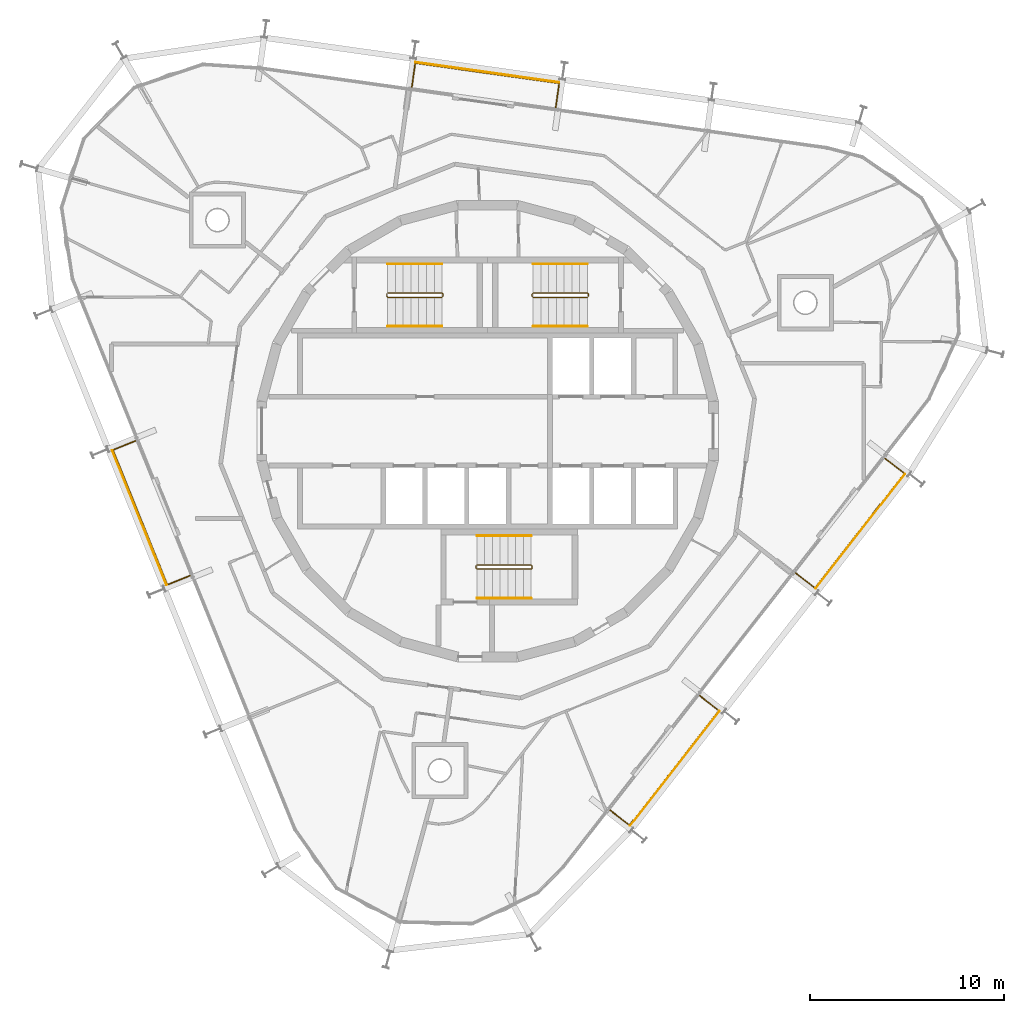
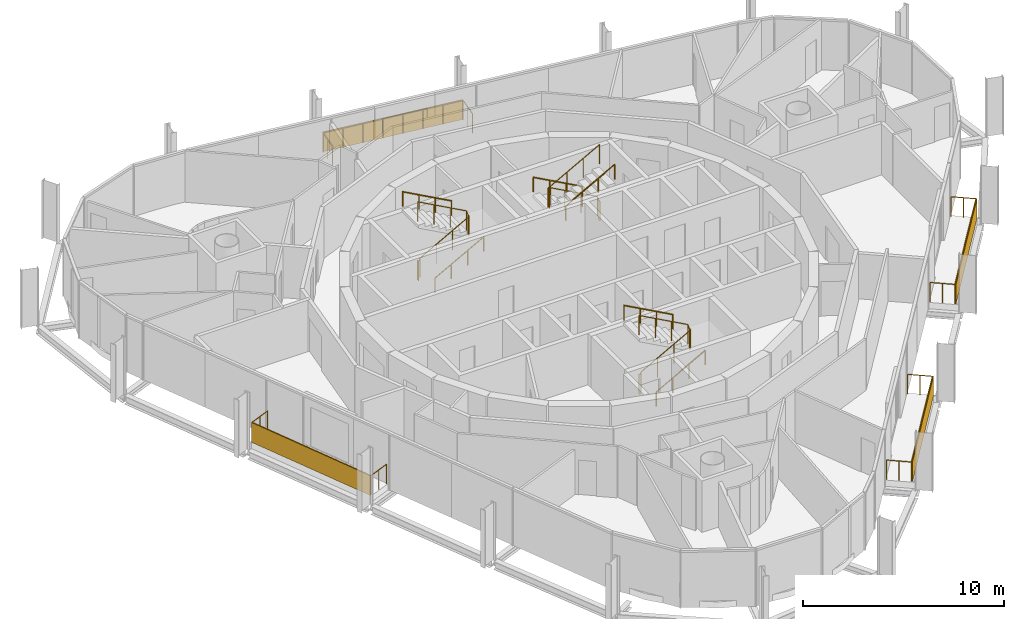
# One storey, part 15 of 15: 13 railings, 4 shading devices.
"""IFC4 building model written with IfcOpenShell, lengths in metres."""

from ifc_helpers import new_model, si_unit, direction, frame, origin, origin_2d, place, context, subcontext, project, spatial, rectangle, circle, extrude, material, layer, layer_set, type_object, element, save


model = new_model("IFC4")

# Units and contexts
model_context = context("Model", 3, precision=1e-05, world=origin(), true_north=direction((0.0, 1.0)))
body_context = subcontext(model_context, "Body", "Model", "MODEL_VIEW")
ifc_project = project(units=[si_unit("LENGTHUNIT", "METRE"), si_unit("AREAUNIT", "SQUARE_METRE"), si_unit("VOLUMEUNIT", "CUBIC_METRE"), si_unit("PLANEANGLEUNIT", "RADIAN"), si_unit("MASSUNIT", "GRAM", prefix="KILO")], contexts=[model_context])

# Site, building, storey
site_placement = place(None, origin())
site = spatial("IfcSite", under=ifc_project, at=site_placement, CompositionType="ELEMENT")
building_placement = place(site_placement, origin())
building = spatial("IfcBuilding", under=site, at=building_placement, Name="Spindle Arch Residences", CompositionType="ELEMENT")
storey_placement = place(building_placement, frame((0.0, 0.0, 354.0)))
storey = spatial("IfcBuildingStorey", under=building, at=storey_placement, Name="L91", CompositionType="ELEMENT", Elevation=354.0)

# Railings
ifc_material_1 = material(Name="Bronze anodised aluminium guard with glass infill", Category="aluminium")
railing_type_1 = type_object("IfcRailingType", Name="Balcony guard 1200", PredefinedType="GUARDRAIL", material=ifc_material_1)
railing_1_placement = place(storey_placement, frame((15.89208984375, -7.317626953125, 0.0)))
element("IfcRailing", 1, at=railing_1_placement, inside=storey, type_object=railing_type_1, Name="Guard L91 bay 1", PredefinedType="GUARDRAIL", context=body_context, shape_type="SweptSolid", body=[
    extrude(circle(Radius=0.02392578125, at=origin_2d()), frame((0.0, 0.0, 1.17578125), z_axis=(0.788056943247, -0.61560235071, 0.0), x_axis=(0.61560235071, 0.788056943247, 0.0)), (0.0, 0.0, 1.0), 1.25),
    extrude(circle(Radius=0.02392578125, at=origin_2d()), frame((0.985107421875, -0.76953125, 1.17578125), z_axis=(0.615668692597, 0.788005114803, 0.0), x_axis=(-0.788005114803, 0.615668692597, 0.0)), (0.0, 0.0, 1.0), 7.49560546875),
    extrude(circle(Radius=0.02392578125, at=origin_2d()), frame((5.599853515625, 5.136962890625, 1.17578125), z_axis=(-0.788056943247, 0.61560235071, 0.0), x_axis=(-0.61560235071, -0.788056943247, 0.0)), (0.0, 0.0, 1.0), 1.25),
    extrude(circle(Radius=0.02099609375, at=origin_2d()), origin(), (0.0, 0.0, 1.0), 1.15185546875),
    extrude(circle(Radius=0.02099609375, at=origin_2d()), frame((0.49267578125, -0.384765625, 0.0)), (0.0, 0.0, 1.0), 1.15185546875),
    extrude(circle(Radius=0.02099609375, at=origin_2d()), frame((0.985107421875, -0.76953125, 0.0)), (0.0, 0.0, 1.0), 1.15185546875),
    extrude(circle(Radius=0.02099609375, at=origin_2d()), frame((1.644287109375, 0.07421875, 0.0)), (0.0, 0.0, 1.0), 1.15185546875),
    extrude(circle(Radius=0.02099609375, at=origin_2d()), frame((2.3037109375, 0.91796875, 0.0)), (0.0, 0.0, 1.0), 1.15185546875),
    extrude(circle(Radius=0.02099609375, at=origin_2d()), frame((2.962890625, 1.76171875, 0.0)), (0.0, 0.0, 1.0), 1.15185546875),
    extrude(circle(Radius=0.02099609375, at=origin_2d()), frame((3.6220703125, 2.605712890625, 0.0)), (0.0, 0.0, 1.0), 1.15185546875),
    extrude(circle(Radius=0.02099609375, at=origin_2d()), frame((4.28125, 3.449462890625, 0.0)), (0.0, 0.0, 1.0), 1.15185546875),
    extrude(circle(Radius=0.02099609375, at=origin_2d()), frame((4.940673828125, 4.293212890625, 0.0)), (0.0, 0.0, 1.0), 1.15185546875),
    extrude(circle(Radius=0.02099609375, at=origin_2d()), frame((5.599853515625, 5.136962890625, 0.0)), (0.0, 0.0, 1.0), 1.15185546875),
    extrude(circle(Radius=0.02099609375, at=origin_2d()), frame((5.107421875, 5.521728515625, 0.0)), (0.0, 0.0, 1.0), 1.15185546875),
    extrude(circle(Radius=0.02099609375, at=origin_2d()), frame((4.61474609375, 5.906494140625, 0.0)), (0.0, 0.0, 1.0), 1.15185546875),
])
railing_2_placement = place(storey_placement, frame((3.517822265625, 16.701416015625, 0.0)))
element("IfcRailing", 2, at=railing_2_placement, inside=storey, type_object=railing_type_1, Name="Guard L91 bay 7", PredefinedType="GUARDRAIL", context=body_context, shape_type="SweptSolid", body=[
    extrude(circle(Radius=0.02392578125, at=origin_2d()), frame((0.0, 0.0, 1.17578125), z_axis=(0.139260816682, 0.990255737139, 0.0), x_axis=(-0.990255737139, 0.139260816682, 0.0)), (0.0, 0.0, 1.0), 1.25),
    extrude(circle(Radius=0.02392578125, at=origin_2d()), frame((0.174072265625, 1.23779296875, 1.17578125), z_axis=(-0.990267453735, 0.139177476887, 0.0), x_axis=(-0.139177476887, -0.990267453735, 0.0)), (0.0, 0.0, 1.0), 7.49560546875),
    extrude(circle(Radius=0.02392578125, at=origin_2d()), frame((-7.24853515625, 2.281005859375, 1.17578125), z_axis=(-0.139260816682, -0.990255737139, 0.0), x_axis=(0.990255737139, -0.139260816682, 0.0)), (0.0, 0.0, 1.0), 1.25),
    extrude(circle(Radius=0.02099609375, at=origin_2d()), origin(), (0.0, 0.0, 1.0), 1.15185546875),
    extrude(circle(Radius=0.02099609375, at=origin_2d()), frame((0.0869140625, 0.618896484375, 0.0)), (0.0, 0.0, 1.0), 1.15185546875),
    extrude(circle(Radius=0.02099609375, at=origin_2d()), frame((0.174072265625, 1.23779296875, 0.0)), (0.0, 0.0, 1.0), 1.15185546875),
    extrude(circle(Radius=0.02099609375, at=origin_2d()), frame((-0.88623046875, 1.38671875, 0.0)), (0.0, 0.0, 1.0), 1.15185546875),
    extrude(circle(Radius=0.02099609375, at=origin_2d()), frame((-1.94677734375, 1.535888671875, 0.0)), (0.0, 0.0, 1.0), 1.15185546875),
    extrude(circle(Radius=0.02099609375, at=origin_2d()), frame((-3.007080078125, 1.684814453125, 0.0)), (0.0, 0.0, 1.0), 1.15185546875),
    extrude(circle(Radius=0.02099609375, at=origin_2d()), frame((-4.0673828125, 1.833984375, 0.0)), (0.0, 0.0, 1.0), 1.15185546875),
    extrude(circle(Radius=0.02099609375, at=origin_2d()), frame((-5.127685546875, 1.98291015625, 0.0)), (0.0, 0.0, 1.0), 1.15185546875),
    extrude(circle(Radius=0.02099609375, at=origin_2d()), frame((-6.188232421875, 2.132080078125, 0.0)), (0.0, 0.0, 1.0), 1.15185546875),
    extrude(circle(Radius=0.02099609375, at=origin_2d()), frame((-7.24853515625, 2.281005859375, 0.0)), (0.0, 0.0, 1.0), 1.15185546875),
    extrude(circle(Radius=0.02099609375, at=origin_2d()), frame((-7.33544921875, 1.662109375, 0.0)), (0.0, 0.0, 1.0), 1.15185546875),
    extrude(circle(Radius=0.02099609375, at=origin_2d()), frame((-7.422607421875, 1.043212890625, 0.0)), (0.0, 0.0, 1.0), 1.15185546875),
])
railing_3_placement = place(storey_placement, frame((-18.162109375, -0.50390625, 0.0)))
element("IfcRailing", 3, at=railing_3_placement, inside=storey, type_object=railing_type_1, Name="Guard L91 bay 13", PredefinedType="GUARDRAIL", context=body_context, shape_type="SweptSolid", body=[
    extrude(circle(Radius=0.02392578125, at=origin_2d()), frame((0.0, 0.0, 1.17578125), z_axis=(-0.927177918056, -0.374621286461, 0.0), x_axis=(0.374621286461, -0.927177918056, 0.0)), (0.0, 0.0, 1.0), 1.25),
    extrude(circle(Radius=0.02392578125, at=origin_2d()), frame((-1.158935546875, -0.46826171875, 1.17578125), z_axis=(0.374594985402, -0.927188544424, 0.0), x_axis=(0.927188544424, 0.374594985402, 0.0)), (0.0, 0.0, 1.0), 7.49560546875),
    extrude(circle(Radius=0.02392578125, at=origin_2d()), frame((1.64892578125, -7.418212890625, 1.17578125), z_axis=(0.927177918056, 0.374621286461, 0.0), x_axis=(-0.374621286461, 0.927177918056, 0.0)), (0.0, 0.0, 1.0), 1.25),
    extrude(circle(Radius=0.02099609375, at=origin_2d()), origin(), (0.0, 0.0, 1.0), 1.15185546875),
    extrude(circle(Radius=0.02099609375, at=origin_2d()), frame((-0.57958984375, -0.234130859375, 0.0)), (0.0, 0.0, 1.0), 1.15185546875),
    extrude(circle(Radius=0.02099609375, at=origin_2d()), frame((-1.158935546875, -0.46826171875, 0.0)), (0.0, 0.0, 1.0), 1.15185546875),
    extrude(circle(Radius=0.02099609375, at=origin_2d()), frame((-0.7578125, -1.461181640625, 0.0)), (0.0, 0.0, 1.0), 1.15185546875),
    extrude(circle(Radius=0.02099609375, at=origin_2d()), frame((-0.356689453125, -2.453857421875, 0.0)), (0.0, 0.0, 1.0), 1.15185546875),
    extrude(circle(Radius=0.02099609375, at=origin_2d()), frame((0.04443359375, -3.44677734375, 0.0)), (0.0, 0.0, 1.0), 1.15185546875),
    extrude(circle(Radius=0.02099609375, at=origin_2d()), frame((0.445556640625, -4.439697265625, 0.0)), (0.0, 0.0, 1.0), 1.15185546875),
    extrude(circle(Radius=0.02099609375, at=origin_2d()), frame((0.8466796875, -5.4326171875, 0.0)), (0.0, 0.0, 1.0), 1.15185546875),
    extrude(circle(Radius=0.02099609375, at=origin_2d()), frame((1.247802734375, -6.42529296875, 0.0)), (0.0, 0.0, 1.0), 1.15185546875),
    extrude(circle(Radius=0.02099609375, at=origin_2d()), frame((1.64892578125, -7.418212890625, 0.0)), (0.0, 0.0, 1.0), 1.15185546875),
    extrude(circle(Radius=0.02099609375, at=origin_2d()), frame((2.228515625, -7.18408203125, 0.0)), (0.0, 0.0, 1.0), 1.15185546875),
    extrude(circle(Radius=0.02099609375, at=origin_2d()), frame((2.807861328125, -6.949951171875, 0.0)), (0.0, 0.0, 1.0), 1.15185546875),
])
railing_4_placement = place(storey_placement, frame((6.330322265625, -19.556396484375, 0.0)))
element("IfcRailing", 4, at=railing_4_placement, inside=storey, type_object=railing_type_1, Name="Guard L91 bay 19", PredefinedType="GUARDRAIL", context=body_context, shape_type="SweptSolid", body=[
    extrude(circle(Radius=0.02392578125, at=origin_2d()), frame((0.0, 0.0, 1.17578125), z_axis=(0.787982912033, -0.615697109254, 0.0), x_axis=(0.615697109254, 0.787982912033, 0.0)), (0.0, 0.0, 1.0), 1.249755859375),
    extrude(circle(Radius=0.02392578125, at=origin_2d()), frame((0.98486328125, -0.76953125, 1.17578125), z_axis=(0.615668692597, 0.788005114803, 0.0), x_axis=(-0.788005114803, 0.615668692597, 0.0)), (0.0, 0.0, 1.0), 7.49560546875),
    extrude(circle(Radius=0.02392578125, at=origin_2d()), frame((5.599609375, 5.136962890625, 1.17578125), z_axis=(-0.787982912033, 0.615697109254, 0.0), x_axis=(-0.615697109254, -0.787982912033, 0.0)), (0.0, 0.0, 1.0), 1.249755859375),
    extrude(circle(Radius=0.02099609375, at=origin_2d()), origin(), (0.0, 0.0, 1.0), 1.15185546875),
    extrude(circle(Radius=0.02099609375, at=origin_2d()), frame((0.492431640625, -0.384765625, 0.0)), (0.0, 0.0, 1.0), 1.15185546875),
    extrude(circle(Radius=0.02099609375, at=origin_2d()), frame((0.98486328125, -0.76953125, 0.0)), (0.0, 0.0, 1.0), 1.15185546875),
    extrude(circle(Radius=0.02099609375, at=origin_2d()), frame((1.64404296875, 0.07421875, 0.0)), (0.0, 0.0, 1.0), 1.15185546875),
    extrude(circle(Radius=0.02099609375, at=origin_2d()), frame((2.303466796875, 0.91796875, 0.0)), (0.0, 0.0, 1.0), 1.15185546875),
    extrude(circle(Radius=0.02099609375, at=origin_2d()), frame((2.962646484375, 1.76171875, 0.0)), (0.0, 0.0, 1.0), 1.15185546875),
    extrude(circle(Radius=0.02099609375, at=origin_2d()), frame((3.621826171875, 2.605712890625, 0.0)), (0.0, 0.0, 1.0), 1.15185546875),
    extrude(circle(Radius=0.02099609375, at=origin_2d()), frame((4.281005859375, 3.449462890625, 0.0)), (0.0, 0.0, 1.0), 1.15185546875),
    extrude(circle(Radius=0.02099609375, at=origin_2d()), frame((4.9404296875, 4.293212890625, 0.0)), (0.0, 0.0, 1.0), 1.15185546875),
    extrude(circle(Radius=0.02099609375, at=origin_2d()), frame((5.599609375, 5.136962890625, 0.0)), (0.0, 0.0, 1.0), 1.15185546875),
    extrude(circle(Radius=0.02099609375, at=origin_2d()), frame((5.107177734375, 5.521728515625, 0.0)), (0.0, 0.0, 1.0), 1.15185546875),
    extrude(circle(Radius=0.02099609375, at=origin_2d()), frame((4.61474609375, 5.906494140625, 0.0)), (0.0, 0.0, 1.0), 1.15185546875),
])

# Shading devices
ifc_material_2 = material(Name="Bronze perforated cobogo screen")
ifc_layer = layer(ifc_material_2, 0.0390625)
ifc_layer_set = layer_set([ifc_layer], Name="Cobogo screen 1200")
shading_device_type = type_object("IfcShadingDeviceType", Name="Cobogo screen 1200", PredefinedType="USERDEFINED", material=ifc_layer_set)
for number, where, z_axis, x_axis, name in (
    (5, (19.216552734375, -5.158935546875, 0.0), (0.0, 0.0, 1.0), (0.615661475326, 0.788010753607, 0.0), "Cobogo screen L91 bay 1"),
    (6, (-0.013916015625, 18.5009765625, 0.0), (0.0, 0.0, 1.0), (-0.990268068742, 0.13917310096, 0.0), "Cobogo screen L91 bay 7"),
    (7, (-17.95458984375, -4.46240234375, 0.0), (0.0, 0.0, 1.0), (0.374606593416, -0.927183854567, 0.0), "Cobogo screen L91 bay 13"),
    (8, (9.654541015625, -17.397705078125, 0.0), (0.0, 0.0, 1.0), (0.615661475326, 0.788010753607, 0.0), "Cobogo screen L91 bay 19"),
):
    element("IfcShadingDevice", number, at=place(storey_placement, frame(where, z_axis=z_axis, x_axis=x_axis)), inside=storey, type_object=shading_device_type, Name=name, ObjectType="SCREEN", PredefinedType="USERDEFINED", context=body_context, shape_type="SweptSolid", body=[
        extrude(rectangle(XDim=7.49560546875, YDim=0.0390625, at=origin_2d()), origin(), (0.0, 0.0, 1.0), 1.199951171875),
    ])

# Railings
ifc_material_3 = material(Name="Steel, painted", Category="steel")
railing_type_2 = type_object("IfcRailingType", Name="Stair guard 1100", PredefinedType="GUARDRAIL", material=ifc_material_3)
railing_5_placement = place(storey_placement, frame((5.14990234375, 6.89990234375, 3.5)))
element("IfcRailing", 9, at=railing_5_placement, inside=storey, type_object=railing_type_2, Name="L91 ST1 stair guard 1", PredefinedType="GUARDRAIL", context=body_context, shape_type="SweptSolid", body=[
    extrude(circle(Radius=0.02392578125, at=origin_2d()), frame((0.0, 0.0, 1.17578125), z_axis=(-0.877357048833, 0.0, -0.479838106931), x_axis=(0.0, -1.0, 0.0)), (0.0, 0.0, 1.0), 3.191162109375),
    extrude(circle(Radius=0.02392578125, at=origin_2d()), frame((-2.7998046875, 0.0, -0.35546875), z_axis=(-0.217683172539, 0.217683172539, -0.951434744366), x_axis=(-0.707106781187, -0.707106781187, 0.0)), (0.0, 0.0, 1.0), 0.22998046875),
    extrude(circle(Radius=0.02392578125, at=origin_2d()), frame((-2.849853515625, 0.050048828125, -0.57421875), z_axis=(0.0, 1.0, 0.0), x_axis=(-1.0, 0.0, 0.0)), (0.0, 0.0, 1.0), 0.1201171875),
    extrude(circle(Radius=0.02392578125, at=origin_2d()), frame((-2.849853515625, 0.170166015625, -0.57421875), z_axis=(0.707106781187, 0.707106781187, 0.0), x_axis=(-0.707106781187, 0.707106781187, 0.0)), (0.0, 0.0, 1.0), 0.07080078125),
    extrude(circle(Radius=0.02392578125, at=origin_2d()), frame((-2.7998046875, 0.22021484375, -0.57421875), z_axis=(0.877357048833, 0.0, -0.479838106931), x_axis=(0.0, 1.0, 0.0)), (0.0, 0.0, 1.0), 3.191162109375),
    extrude(circle(Radius=0.02392578125, at=origin_2d()), frame((0.0, 0.22021484375, -2.10546875), z_axis=(0.217683172539, -0.217683172539, -0.951434744366), x_axis=(0.707106781187, 0.707106781187, 0.0)), (0.0, 0.0, 1.0), 0.22998046875),
    extrude(circle(Radius=0.02392578125, at=origin_2d()), frame((0.050048828125, 0.170166015625, -2.32421875), z_axis=(0.0, -1.0, 0.0), x_axis=(1.0, 0.0, 0.0)), (0.0, 0.0, 1.0), 0.1201171875),
    extrude(circle(Radius=0.02099609375, at=origin_2d()), origin(), (0.0, 0.0, 1.0), 1.15185546875),
    extrude(circle(Radius=0.02099609375, at=origin_2d()), frame((-0.933349609375, 0.0, -0.510498046875)), (0.0, 0.0, 1.0), 1.15185546875),
    extrude(circle(Radius=0.02099609375, at=origin_2d()), frame((-1.866455078125, 0.0, -1.020751953125)), (0.0, 0.0, 1.0), 1.15185546875),
    extrude(circle(Radius=0.02099609375, at=origin_2d()), frame((-2.7998046875, 0.0, -1.53125)), (0.0, 0.0, 1.0), 1.15185546875),
    extrude(circle(Radius=0.02099609375, at=origin_2d()), frame((-2.849853515625, 0.050048828125, -1.75)), (0.0, 0.0, 1.0), 1.15185546875),
    extrude(circle(Radius=0.02099609375, at=origin_2d()), frame((-2.849853515625, 0.170166015625, -1.75)), (0.0, 0.0, 1.0), 1.15185546875),
    extrude(circle(Radius=0.02099609375, at=origin_2d()), frame((-2.7998046875, 0.22021484375, -1.75)), (0.0, 0.0, 1.0), 1.15185546875),
    extrude(circle(Radius=0.02099609375, at=origin_2d()), frame((-1.866455078125, 0.22021484375, -2.260498046875)), (0.0, 0.0, 1.0), 1.15185546875),
    extrude(circle(Radius=0.02099609375, at=origin_2d()), frame((-0.933349609375, 0.22021484375, -2.770751953125)), (0.0, 0.0, 1.0), 1.15185546875),
    extrude(circle(Radius=0.02099609375, at=origin_2d()), frame((0.0, 0.22021484375, -3.28125)), (0.0, 0.0, 1.0), 1.15185546875),
    extrude(circle(Radius=0.02099609375, at=origin_2d()), frame((0.050048828125, 0.170166015625, -3.5)), (0.0, 0.0, 1.0), 1.15185546875),
    extrude(circle(Radius=0.02099609375, at=origin_2d()), frame((0.050048828125, 0.050048828125, -3.5)), (0.0, 0.0, 1.0), 1.15185546875),
])
railing_6_placement = place(storey_placement, frame((-5.14990234375, 7.1201171875, 3.5)))
element("IfcRailing", 10, at=railing_6_placement, inside=storey, type_object=railing_type_2, Name="L91 ST2 stair guard 1", PredefinedType="GUARDRAIL", context=body_context, shape_type="SweptSolid", body=[
    extrude(circle(Radius=0.02392578125, at=origin_2d()), frame((0.0, 0.0, 1.17578125), z_axis=(0.877357048833, 0.0, -0.479838106931), x_axis=(0.0, 1.0, 0.0)), (0.0, 0.0, 1.0), 3.191162109375),
    extrude(circle(Radius=0.02392578125, at=origin_2d()), frame((2.7998046875, 0.0, -0.35546875), z_axis=(0.217683172539, -0.217683172539, -0.951434744366), x_axis=(0.707106781187, 0.707106781187, 0.0)), (0.0, 0.0, 1.0), 0.22998046875),
    extrude(circle(Radius=0.02392578125, at=origin_2d()), frame((2.849853515625, -0.050048828125, -0.57421875), z_axis=(0.0, -1.0, 0.0), x_axis=(1.0, 0.0, 0.0)), (0.0, 0.0, 1.0), 0.1201171875),
    extrude(circle(Radius=0.02392578125, at=origin_2d()), frame((2.849853515625, -0.170166015625, -0.57421875), z_axis=(-0.707106781187, -0.707106781187, 0.0), x_axis=(0.707106781187, -0.707106781187, 0.0)), (0.0, 0.0, 1.0), 0.07080078125),
    extrude(circle(Radius=0.02392578125, at=origin_2d()), frame((2.7998046875, -0.22021484375, -0.57421875), z_axis=(-0.877357048833, 0.0, -0.479838106931), x_axis=(0.0, -1.0, 0.0)), (0.0, 0.0, 1.0), 3.191162109375),
    extrude(circle(Radius=0.02392578125, at=origin_2d()), frame((0.0, -0.22021484375, -2.10546875), z_axis=(-0.217683172539, 0.217683172539, -0.951434744366), x_axis=(-0.707106781187, -0.707106781187, 0.0)), (0.0, 0.0, 1.0), 0.22998046875),
    extrude(circle(Radius=0.02392578125, at=origin_2d()), frame((-0.050048828125, -0.170166015625, -2.32421875), z_axis=(0.0, 1.0, 0.0), x_axis=(-1.0, 0.0, 0.0)), (0.0, 0.0, 1.0), 0.1201171875),
    extrude(circle(Radius=0.02099609375, at=origin_2d()), origin(), (0.0, 0.0, 1.0), 1.15185546875),
    extrude(circle(Radius=0.02099609375, at=origin_2d()), frame((0.933349609375, 0.0, -0.510498046875)), (0.0, 0.0, 1.0), 1.15185546875),
    extrude(circle(Radius=0.02099609375, at=origin_2d()), frame((1.866455078125, 0.0, -1.020751953125)), (0.0, 0.0, 1.0), 1.15185546875),
    extrude(circle(Radius=0.02099609375, at=origin_2d()), frame((2.7998046875, 0.0, -1.53125)), (0.0, 0.0, 1.0), 1.15185546875),
    extrude(circle(Radius=0.02099609375, at=origin_2d()), frame((2.849853515625, -0.050048828125, -1.75)), (0.0, 0.0, 1.0), 1.15185546875),
    extrude(circle(Radius=0.02099609375, at=origin_2d()), frame((2.849853515625, -0.170166015625, -1.75)), (0.0, 0.0, 1.0), 1.15185546875),
    extrude(circle(Radius=0.02099609375, at=origin_2d()), frame((2.7998046875, -0.22021484375, -1.75)), (0.0, 0.0, 1.0), 1.15185546875),
    extrude(circle(Radius=0.02099609375, at=origin_2d()), frame((1.866455078125, -0.22021484375, -2.260498046875)), (0.0, 0.0, 1.0), 1.15185546875),
    extrude(circle(Radius=0.02099609375, at=origin_2d()), frame((0.933349609375, -0.22021484375, -2.770751953125)), (0.0, 0.0, 1.0), 1.15185546875),
    extrude(circle(Radius=0.02099609375, at=origin_2d()), frame((0.0, -0.22021484375, -3.28125)), (0.0, 0.0, 1.0), 1.15185546875),
    extrude(circle(Radius=0.02099609375, at=origin_2d()), frame((-0.050048828125, -0.170166015625, -3.5)), (0.0, 0.0, 1.0), 1.15185546875),
    extrude(circle(Radius=0.02099609375, at=origin_2d()), frame((-0.050048828125, -0.050048828125, -3.5)), (0.0, 0.0, 1.0), 1.15185546875),
])
railing_7_placement = place(storey_placement, frame((-0.550048828125, -6.89990234375, 3.5)))
element("IfcRailing", 11, at=railing_7_placement, inside=storey, type_object=railing_type_2, Name="L91 ST3 stair guard 1", PredefinedType="GUARDRAIL", context=body_context, shape_type="SweptSolid", body=[
    extrude(circle(Radius=0.02392578125, at=origin_2d()), frame((0.0, 0.0, 1.17578125), z_axis=(0.877374661878, 0.0, -0.479805901063), x_axis=(0.0, 1.0, 0.0)), (0.0, 0.0, 1.0), 3.19140625),
    extrude(circle(Radius=0.02392578125, at=origin_2d()), frame((2.800048828125, 0.0, -0.35546875), z_axis=(0.217683172539, -0.217683172539, -0.951434744366), x_axis=(0.707106781187, 0.707106781187, 0.0)), (0.0, 0.0, 1.0), 0.22998046875),
    extrude(circle(Radius=0.02392578125, at=origin_2d()), frame((2.85009765625, -0.050048828125, -0.57421875), z_axis=(0.0, -1.0, 0.0), x_axis=(1.0, 0.0, 0.0)), (0.0, 0.0, 1.0), 0.1201171875),
    extrude(circle(Radius=0.02392578125, at=origin_2d()), frame((2.85009765625, -0.170166015625, -0.57421875), z_axis=(-0.707106781187, -0.707106781187, 0.0), x_axis=(0.707106781187, -0.707106781187, 0.0)), (0.0, 0.0, 1.0), 0.07080078125),
    extrude(circle(Radius=0.02392578125, at=origin_2d()), frame((2.800048828125, -0.22021484375, -0.57421875), z_axis=(-0.877374661878, 0.0, -0.479805901063), x_axis=(0.0, -1.0, 0.0)), (0.0, 0.0, 1.0), 3.19140625),
    extrude(circle(Radius=0.02392578125, at=origin_2d()), frame((0.0, -0.22021484375, -2.10546875), z_axis=(-0.217683172539, 0.217683172539, -0.951434744366), x_axis=(-0.707106781187, -0.707106781187, 0.0)), (0.0, 0.0, 1.0), 0.22998046875),
    extrude(circle(Radius=0.02392578125, at=origin_2d()), frame((-0.050048828125, -0.170166015625, -2.32421875), z_axis=(0.0, 1.0, 0.0), x_axis=(-1.0, 0.0, 0.0)), (0.0, 0.0, 1.0), 0.1201171875),
    extrude(circle(Radius=0.02099609375, at=origin_2d()), origin(), (0.0, 0.0, 1.0), 1.15185546875),
    extrude(circle(Radius=0.02099609375, at=origin_2d()), frame((0.933349609375, 0.0, -0.510498046875)), (0.0, 0.0, 1.0), 1.15185546875),
    extrude(circle(Radius=0.02099609375, at=origin_2d()), frame((1.86669921875, 0.0, -1.020751953125)), (0.0, 0.0, 1.0), 1.15185546875),
    extrude(circle(Radius=0.02099609375, at=origin_2d()), frame((2.800048828125, 0.0, -1.53125)), (0.0, 0.0, 1.0), 1.15185546875),
    extrude(circle(Radius=0.02099609375, at=origin_2d()), frame((2.85009765625, -0.050048828125, -1.75)), (0.0, 0.0, 1.0), 1.15185546875),
    extrude(circle(Radius=0.02099609375, at=origin_2d()), frame((2.85009765625, -0.170166015625, -1.75)), (0.0, 0.0, 1.0), 1.15185546875),
    extrude(circle(Radius=0.02099609375, at=origin_2d()), frame((2.800048828125, -0.22021484375, -1.75)), (0.0, 0.0, 1.0), 1.15185546875),
    extrude(circle(Radius=0.02099609375, at=origin_2d()), frame((1.86669921875, -0.22021484375, -2.260498046875)), (0.0, 0.0, 1.0), 1.15185546875),
    extrude(circle(Radius=0.02099609375, at=origin_2d()), frame((0.933349609375, -0.22021484375, -2.770751953125)), (0.0, 0.0, 1.0), 1.15185546875),
    extrude(circle(Radius=0.02099609375, at=origin_2d()), frame((0.0, -0.22021484375, -3.28125)), (0.0, 0.0, 1.0), 1.15185546875),
    extrude(circle(Radius=0.02099609375, at=origin_2d()), frame((-0.050048828125, -0.170166015625, -3.5)), (0.0, 0.0, 1.0), 1.15185546875),
    extrude(circle(Radius=0.02099609375, at=origin_2d()), frame((-0.050048828125, -0.050048828125, -3.5)), (0.0, 0.0, 1.0), 1.15185546875),
])
ifc_material_4 = material(Name="Steel, painted", Category="steel")
railing_type_3 = type_object("IfcRailingType", Name="Stair handrail 900", PredefinedType="HANDRAIL", material=ifc_material_4)
railing_8_placement = place(storey_placement, frame((5.14990234375, 8.6201171875, 0.21875)))
element("IfcRailing", 12, at=railing_8_placement, inside=storey, type_object=railing_type_3, Name="L91 ST1 stair handrail 1", PredefinedType="HANDRAIL", context=body_context, shape_type="SweptSolid", body=[
    extrude(circle(Radius=0.02392578125, at=origin_2d()), frame((0.0, 0.0, 0.8759765625), z_axis=(-0.877357048833, 0.0, 0.479838106931), x_axis=(0.0, -1.0, 0.0)), (0.0, 0.0, 1.0), 3.191162109375),
    extrude(circle(Radius=0.02099609375, at=origin_2d()), origin(), (0.0, 0.0, 1.0), 0.851806640625),
    extrude(circle(Radius=0.02099609375, at=origin_2d()), frame((-0.933349609375, 0.0, 0.510498046875)), (0.0, 0.0, 1.0), 0.851806640625),
    extrude(circle(Radius=0.02099609375, at=origin_2d()), frame((-1.866455078125, 0.0, 1.020751953125)), (0.0, 0.0, 1.0), 0.851806640625),
    extrude(circle(Radius=0.02099609375, at=origin_2d()), frame((-2.7998046875, 0.0, 1.53125)), (0.0, 0.0, 1.0), 0.851806640625),
])
for number, where, name in (
    (13, (2.35009765625, 5.39990234375, 1.96875), "L91 ST1 stair handrail 2"),
    (14, (-5.14990234375, 5.39990234375, 0.21875), "L91 ST2 stair handrail 1"),
):
    element("IfcRailing", number, at=place(storey_placement, frame(where)), inside=storey, type_object=railing_type_3, Name=name, PredefinedType="HANDRAIL", context=body_context, shape_type="SweptSolid", body=[
        extrude(circle(Radius=0.02392578125, at=origin_2d()), frame((0.0, 0.0, 0.8759765625), z_axis=(0.877357048833, 0.0, 0.479838106931), x_axis=(0.0, 1.0, 0.0)), (0.0, 0.0, 1.0), 3.191162109375),
        extrude(circle(Radius=0.02099609375, at=origin_2d()), origin(), (0.0, 0.0, 1.0), 0.851806640625),
        extrude(circle(Radius=0.02099609375, at=origin_2d()), frame((0.933349609375, 0.0, 0.510498046875)), (0.0, 0.0, 1.0), 0.851806640625),
        extrude(circle(Radius=0.02099609375, at=origin_2d()), frame((1.866455078125, 0.0, 1.020751953125)), (0.0, 0.0, 1.0), 0.851806640625),
        extrude(circle(Radius=0.02099609375, at=origin_2d()), frame((2.7998046875, 0.0, 1.53125)), (0.0, 0.0, 1.0), 0.851806640625),
    ])
railing_9_placement = place(storey_placement, frame((-2.35009765625, 8.6201171875, 1.96875)))
element("IfcRailing", 15, at=railing_9_placement, inside=storey, type_object=railing_type_3, Name="L91 ST2 stair handrail 2", PredefinedType="HANDRAIL", context=body_context, shape_type="SweptSolid", body=[
    extrude(circle(Radius=0.02392578125, at=origin_2d()), frame((0.0, 0.0, 0.8759765625), z_axis=(-0.877357048833, 0.0, 0.479838106931), x_axis=(0.0, -1.0, 0.0)), (0.0, 0.0, 1.0), 3.191162109375),
    extrude(circle(Radius=0.02099609375, at=origin_2d()), origin(), (0.0, 0.0, 1.0), 0.851806640625),
    extrude(circle(Radius=0.02099609375, at=origin_2d()), frame((-0.933349609375, 0.0, 0.510498046875)), (0.0, 0.0, 1.0), 0.851806640625),
    extrude(circle(Radius=0.02099609375, at=origin_2d()), frame((-1.866455078125, 0.0, 1.020751953125)), (0.0, 0.0, 1.0), 0.851806640625),
    extrude(circle(Radius=0.02099609375, at=origin_2d()), frame((-2.7998046875, 0.0, 1.53125)), (0.0, 0.0, 1.0), 0.851806640625),
])
railing_10_placement = place(storey_placement, frame((-0.550048828125, -8.6201171875, 0.21875)))
element("IfcRailing", 16, at=railing_10_placement, inside=storey, type_object=railing_type_3, Name="L91 ST3 stair handrail 1", PredefinedType="HANDRAIL", context=body_context, shape_type="SweptSolid", body=[
    extrude(circle(Radius=0.02392578125, at=origin_2d()), frame((0.0, 0.0, 0.8759765625), z_axis=(0.877374661878, 0.0, 0.479805901063), x_axis=(0.0, 1.0, 0.0)), (0.0, 0.0, 1.0), 3.19140625),
    extrude(circle(Radius=0.02099609375, at=origin_2d()), origin(), (0.0, 0.0, 1.0), 0.851806640625),
    extrude(circle(Radius=0.02099609375, at=origin_2d()), frame((0.933349609375, 0.0, 0.510498046875)), (0.0, 0.0, 1.0), 0.851806640625),
    extrude(circle(Radius=0.02099609375, at=origin_2d()), frame((1.86669921875, 0.0, 1.020751953125)), (0.0, 0.0, 1.0), 0.851806640625),
    extrude(circle(Radius=0.02099609375, at=origin_2d()), frame((2.800048828125, 0.0, 1.53125)), (0.0, 0.0, 1.0), 0.851806640625),
])
railing_11_placement = place(storey_placement, frame((2.25, -5.39990234375, 1.96875)))
element("IfcRailing", 17, at=railing_11_placement, inside=storey, type_object=railing_type_3, Name="L91 ST3 stair handrail 2", PredefinedType="HANDRAIL", context=body_context, shape_type="SweptSolid", body=[
    extrude(circle(Radius=0.02392578125, at=origin_2d()), frame((0.0, 0.0, 0.8759765625), z_axis=(-0.877374661878, 0.0, 0.479805901063), x_axis=(0.0, -1.0, 0.0)), (0.0, 0.0, 1.0), 3.19140625),
    extrude(circle(Radius=0.02099609375, at=origin_2d()), origin(), (0.0, 0.0, 1.0), 0.851806640625),
    extrude(circle(Radius=0.02099609375, at=origin_2d()), frame((-0.933349609375, 0.0, 0.510498046875)), (0.0, 0.0, 1.0), 0.851806640625),
    extrude(circle(Radius=0.02099609375, at=origin_2d()), frame((-1.86669921875, 0.0, 1.020751953125)), (0.0, 0.0, 1.0), 0.851806640625),
    extrude(circle(Radius=0.02099609375, at=origin_2d()), frame((-2.800048828125, 0.0, 1.53125)), (0.0, 0.0, 1.0), 0.851806640625),
])

save(model, "model.ifc")
